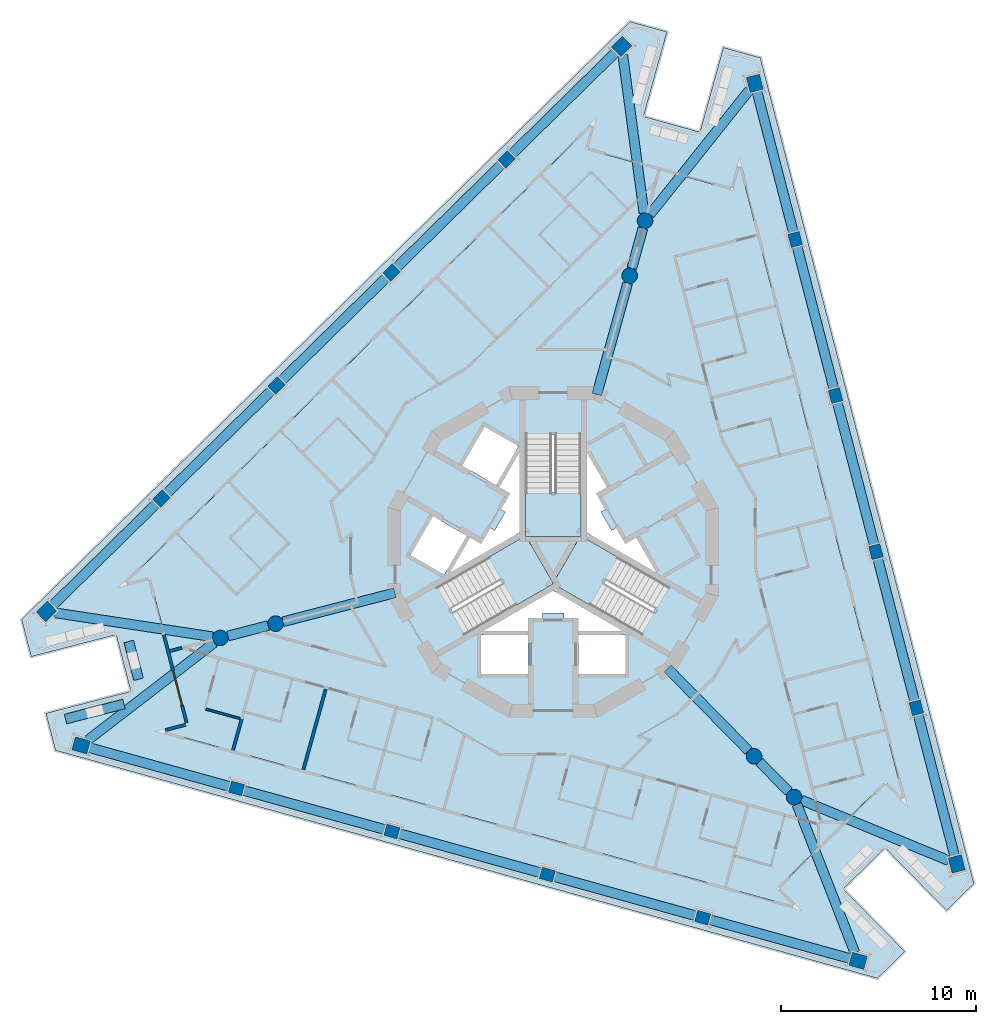
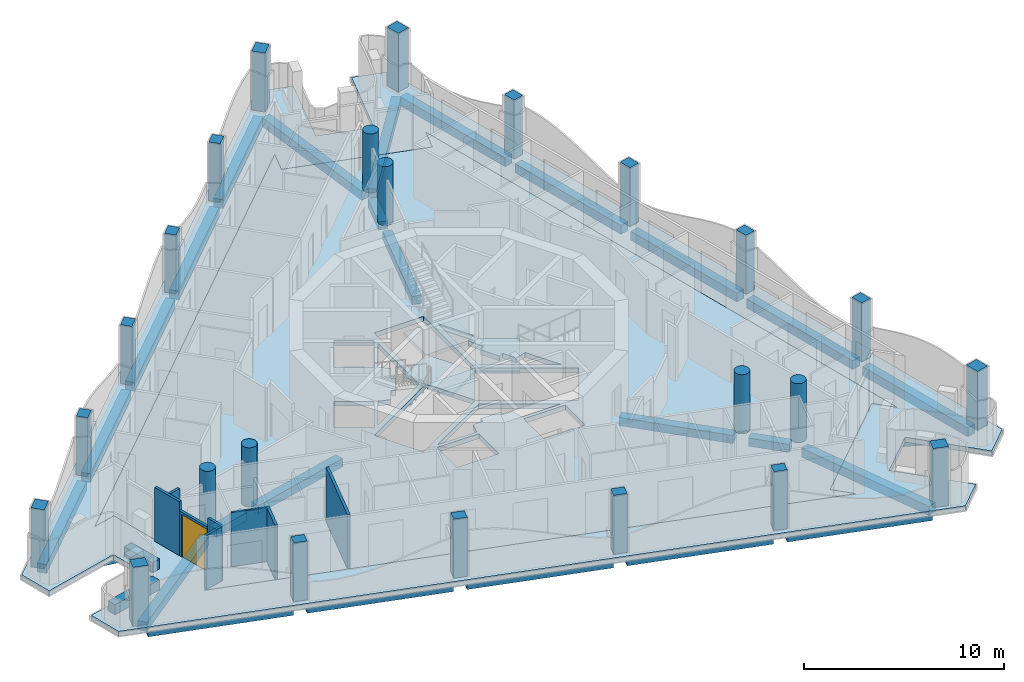
# One storey, part 1 of 15: 27 beams, 24 columns, 10 walls, 6 slabs, 1 door, 1 opening, 3 elements without a shape of their own.
"""IFC4 building model written with IfcOpenShell, lengths in metres."""

from ifc_helpers import new_model, si_unit, direction, frame, frame_2d, origin, origin_2d, place, context, subcontext, project, spatial, polyline, rectangle, circle, outline, extrude, material, layer, layer_set, material_profile, profile_set, type_object, element, fill, aggregate, save


model = new_model("IFC4")

# Units and contexts
model_context = context("Model", 3, precision=1e-05, world=origin(), true_north=direction((0.0, 1.0)))
body_context = subcontext(model_context, "Body", "Model", "MODEL_VIEW")
ifc_project = project(units=[si_unit("LENGTHUNIT", "METRE"), si_unit("AREAUNIT", "SQUARE_METRE"), si_unit("VOLUMEUNIT", "CUBIC_METRE"), si_unit("PLANEANGLEUNIT", "RADIAN"), si_unit("MASSUNIT", "GRAM", prefix="KILO")], contexts=[model_context])

# Site, building, storey
site_placement = place(None, origin())
site = spatial("IfcSite", under=ifc_project, at=site_placement, CompositionType="ELEMENT")
building_placement = place(site_placement, origin())
building = spatial("IfcBuilding", under=site, at=building_placement, Name="Trine Commons Tower", CompositionType="ELEMENT")
storey_placement = place(building_placement, frame((0.0, 0.0, 260.10009765625)))
storey = spatial("IfcBuildingStorey", under=building, at=storey_placement, Name="L68", CompositionType="ELEMENT", Elevation=260.10009765625)

# Columns
ifc_material_1 = material(Name="Concrete C50/60", Category="concrete")
ifc_material_profile_1 = material_profile(ifc_material_1, rectangle(XDim=0.699951171875, YDim=0.60009765625, at=origin_2d()), Name="RC 700x600")
ifc_profile_set_1 = profile_set([ifc_material_profile_1], Name="Concrete C50/60")
column_type_1 = type_object("IfcColumnType", Name="RC column 700x600, C50/60", PredefinedType="COLUMN", material=ifc_profile_set_1)
for number, where, z_axis, x_axis, name in (
    (1, (87.668701171875, 43.74072265625, 0.0), (0.0, 0.0, 1.0), (-0.963630453209, 0.267238376078, 0.0), "Column PC7-02 L68"),
    (2, (79.70068359375, 45.950439453125, 0.0), (0.0, 0.0, 1.0), (-0.963630453209, 0.267238376078, 0.0), "Column PC7-03 L68"),
    (3, (71.73291015625, 48.16015625, 0.0), (0.0, 0.0, 1.0), (-0.963630453209, 0.267238376078, 0.0), "Column PC7-04 L68"),
    (4, (63.764892578125, 50.369873046875, 0.0), (0.0, 0.0, 1.0), (-0.963630453209, 0.267238376078, 0.0), "Column PC7-05 L68"),
    (5, (59.91943359375, 65.23828125, 0.0), (0.0, 0.0, 1.0), (0.713250449154, 0.7009092643, 0.0), "Column PC7-08 L68"),
    (6, (65.817138671875, 71.033935546875, 0.0), (0.0, 0.0, 1.0), (0.713250449154, 0.7009092643, 0.0), "Column PC7-09 L68"),
    (7, (71.71484375, 76.82958984375, 0.0), (0.0, 0.0, 1.0), (0.713250449154, 0.7009092643, 0.0), "Column PC7-10 L68"),
    (8, (77.612548828125, 82.625244140625, 0.0), (0.0, 0.0, 1.0), (0.713250449154, 0.7009092643, 0.0), "Column PC7-11 L68"),
    (9, (92.41162109375, 78.52099609375, 0.0), (0.0, 0.0, 1.0), (-0.250380004054, 0.968147640378, 0.0), "Column PC7-14 L68"),
    (10, (94.48193359375, 70.515625, 0.0), (0.0, 0.0, 1.0), (-0.250380004054, 0.968147640378, 0.0), "Column PC7-15 L68"),
    (11, (96.55224609375, 62.51025390625, 0.0), (0.0, 0.0, 1.0), (-0.250380004054, 0.968147640378, 0.0), "Column PC7-16 L68"),
    (12, (98.622802734375, 54.5048828125, 0.0), (0.0, 0.0, 1.0), (-0.250380004054, 0.968147640378, 0.0), "Column PC7-17 L68"),
):
    element("IfcColumn", number, at=place(storey_placement, frame(where, z_axis=z_axis, x_axis=x_axis)), inside=storey, type_object=column_type_1, Name=name, PredefinedType="COLUMN", context=body_context, shape_type="SweptSolid", body=[
        extrude(rectangle(XDim=0.699951171875, YDim=0.60009765625, at=origin_2d()), origin(), (0.0, 0.0, 1.0), 3.599853515625),
    ])
ifc_material_profile_2 = material_profile(ifc_material_1, rectangle(XDim=0.800048828125, YDim=0.699951171875, at=origin_2d()), Name="RC 800x700")
ifc_profile_set_2 = profile_set([ifc_material_profile_2], Name="Concrete C50/60")
column_type_2 = type_object("IfcColumnType", Name="RC column 800x700, C50/60", PredefinedType="COLUMN", material=ifc_profile_set_2)
for number, where, z_axis, x_axis, name in (
    (13, (95.63671875, 41.531005859375, 0.0), (0.0, 0.0, 1.0), (-0.963630453209, 0.267238376078, 0.0), "Column PC7-01 L68"),
    (14, (55.796875, 52.57958984375, 0.0), (0.0, 0.0, 1.0), (-0.963630453209, 0.267238376078, 0.0), "Column PC7-06 L68"),
    (15, (54.02197265625, 59.442626953125, 0.0), (0.0, 0.0, 1.0), (0.713250449154, 0.7009092643, 0.0), "Column PC7-07 L68"),
    (16, (83.51025390625, 88.4208984375, 0.0), (0.0, 0.0, 1.0), (0.713250449154, 0.7009092643, 0.0), "Column PC7-12 L68"),
    (17, (90.34130859375, 86.5263671875, 0.0), (0.0, 0.0, 1.0), (-0.250380004054, 0.968147640378, 0.0), "Column PC7-13 L68"),
    (18, (100.693115234375, 46.499755859375, 0.0), (0.0, 0.0, 1.0), (-0.250380004054, 0.968147640378, 0.0), "Column PC7-18 L68"),
):
    element("IfcColumn", number, at=place(storey_placement, frame(where, z_axis=z_axis, x_axis=x_axis)), inside=storey, type_object=column_type_2, Name=name, PredefinedType="COLUMN", context=body_context, shape_type="SweptSolid", body=[
        extrude(rectangle(XDim=0.800048828125, YDim=0.699951171875, at=origin_2d()), origin(), (0.0, 0.0, 1.0), 3.599853515625),
    ])
ifc_material_profile_3 = material_profile(ifc_material_1, circle(Radius=0.39990234375, at=origin_2d()), Name="RC round 800")
ifc_profile_set_3 = profile_set([ifc_material_profile_3], Name="Concrete C50/60")
column_type_3 = type_object("IfcColumnType", Name="RC round column 800 mm, C50/60", PredefinedType="COLUMN", material=ifc_profile_set_3)
for number, where, z_axis, x_axis, name in (
    (19, (90.301513671875, 52.01708984375, 0.0), (0.0, 0.0, 1.0), (1.0, 0.0, 0.0), "Column WC7-1 L68"),
    (20, (92.352783203125, 49.9296875, 0.0), (0.0, 0.0, 1.0), (1.0, 0.0, 0.0), "Column WC7-2 L68"),
    (21, (83.927734375, 76.66259765625, 0.0), (0.0, 0.0, 1.0), (1.0, 0.0, 0.0), "Column WC7-3 L68"),
    (22, (84.709716796875, 79.48291015625, 0.0), (0.0, 0.0, 1.0), (1.0, 0.0, 0.0), "Column WC7-4 L68"),
    (23, (65.77099609375, 58.820068359375, 0.0), (0.0, 0.0, 1.0), (1.0, 0.0, 0.0), "Column WC7-5 L68"),
    (24, (62.9375, 58.08740234375, 0.0), (0.0, 0.0, 1.0), (1.0, 0.0, 0.0), "Column WC7-6 L68"),
):
    element("IfcColumn", number, at=place(storey_placement, frame(where, z_axis=z_axis, x_axis=x_axis)), inside=storey, type_object=column_type_3, Name=name, PredefinedType="COLUMN", context=body_context, shape_type="SweptSolid", body=[
        extrude(circle(Radius=0.39990234375, at=origin_2d()), origin(), (0.0, 0.0, 1.0), 3.599853515625),
    ])

# Beams
ifc_material_2 = material(Name="Concrete C40/50", Category="concrete")
ifc_material_profile_4 = material_profile(ifc_material_2, rectangle(XDim=0.5, YDim=0.5, at=origin_2d()), Name="RC 500x500")
ifc_profile_set_4 = profile_set([ifc_material_profile_4], Name="Concrete C40/50")
beam_type_1 = type_object("IfcBeamType", Name="RC beam 500x500, C40/50", PredefinedType="BEAM", material=ifc_profile_set_4)
beam_1_placement = place(storey_placement, frame((85.87353515625, 56.523193359375, -0.550048828125), z_axis=(0.700890997639, -0.713268399292, 0.0), x_axis=(0.713268399292, 0.700890997639, 0.0)))
element("IfcBeam", 25, at=beam_1_placement, inside=storey, type_object=beam_type_1, Name="Beam RB7-01 L68", PredefinedType="BEAM", context=body_context, shape_type="SweptSolid", body=[
    extrude(rectangle(XDim=0.5, YDim=0.5, at=origin_2d()), origin(), (0.0, 0.0, 1.0), 5.91748046875),
])
beam_2_placement = place(storey_placement, frame((90.581787109375, 51.73193359375, -0.550048828125), z_axis=(0.70093857454, -0.713221644877, 0.0), x_axis=(0.713221644877, 0.70093857454, 0.0)))
element("IfcBeam", 26, at=beam_2_placement, inside=storey, type_object=beam_type_1, Name="Beam RB7-02 L68", PredefinedType="BEAM", context=body_context, shape_type="SweptSolid", body=[
    extrude(rectangle(XDim=0.5, YDim=0.5, at=origin_2d()), origin(), (0.0, 0.0, 1.0), 2.126708984375),
])
beam_3_placement = place(storey_placement, frame((82.239501953125, 70.574951171875, -0.550048828125), z_axis=(0.267209770713, 0.963638385721, 0.0), x_axis=(-0.963638385721, 0.267209770713, 0.0)))
element("IfcBeam", 27, at=beam_3_placement, inside=storey, type_object=beam_type_1, Name="Beam RB7-03 L68", PredefinedType="BEAM", context=body_context, shape_type="SweptSolid", body=[
    extrude(rectangle(XDim=0.5, YDim=0.5, at=origin_2d()), origin(), (0.0, 0.0, 1.0), 5.917724609375),
])
beam_4_placement = place(storey_placement, frame((84.034423828125, 77.0478515625, -0.550048828125), z_axis=(0.267270963033, 0.963621415453, 0.0), x_axis=(-0.963621415453, 0.267270963033, 0.0)))
element("IfcBeam", 28, at=beam_4_placement, inside=storey, type_object=beam_type_1, Name="Beam RB7-04 L68", PredefinedType="BEAM", context=body_context, shape_type="SweptSolid", body=[
    extrude(rectangle(XDim=0.5, YDim=0.5, at=origin_2d()), origin(), (0.0, 0.0, 1.0), 2.12744140625),
])
beam_5_placement = place(storey_placement, frame((71.88720703125, 60.40185546875, -0.550048828125), z_axis=(-0.968150015074, -0.250370821607, 0.0), x_axis=(0.250370821607, -0.968150015074, 0.0)))
element("IfcBeam", 29, at=beam_5_placement, inside=storey, type_object=beam_type_1, Name="Beam RB7-05 L68", PredefinedType="BEAM", context=body_context, shape_type="SweptSolid", body=[
    extrude(rectangle(XDim=0.5, YDim=0.5, at=origin_2d()), origin(), (0.0, 0.0, 1.0), 5.91796875),
])
beam_6_placement = place(storey_placement, frame((65.384033203125, 58.72021484375, -0.550048828125), z_axis=(-0.968118610388, -0.250492227863, 0.0), x_axis=(0.250492227863, -0.968118610388, 0.0)))
element("IfcBeam", 30, at=beam_6_placement, inside=storey, type_object=beam_type_1, Name="Beam RB7-06 L68", PredefinedType="BEAM", context=body_context, shape_type="SweptSolid", body=[
    extrude(rectangle(XDim=0.5, YDim=0.5, at=origin_2d()), origin(), (0.0, 0.0, 1.0), 2.127685546875),
])
ifc_material_profile_5 = material_profile(ifc_material_2, rectangle(XDim=0.5, YDim=0.550048828125, at=origin_2d()), Name="RC 500x550")
ifc_profile_set_5 = profile_set([ifc_material_profile_5], Name="Concrete C40/50")
beam_type_2 = type_object("IfcBeamType", Name="RC beam 500x550, C40/50", PredefinedType="BEAM", material=ifc_profile_set_5)
beam_7_placement = place(storey_placement, frame((95.251220703125, 41.6376953125, -0.5751953125), z_axis=(-0.963621113681, 0.267272051042, 0.0), x_axis=(-0.267272051042, -0.963621113681, 0.0)))
element("IfcBeam", 31, at=beam_7_placement, inside=storey, type_object=beam_type_2, Name="Beam EB7-01 L68", PredefinedType="BEAM", context=body_context, shape_type="SweptSolid", body=[
    extrude(rectangle(XDim=0.5, YDim=0.550048828125, at=origin_2d()), origin(), (0.0, 0.0, 1.0), 7.5185546875),
])
for number, where, z_axis, x_axis, name in (
    (32, (87.33154296875, 43.834228515625, -0.5751953125), (-0.963628737279, 0.267244563445, 0.0), (-0.267244563445, -0.963628737279, 0.0), "Beam EB7-02 L68"),
    (33, (79.363525390625, 46.0439453125, -0.5751953125), (-0.963628737279, 0.267244563445, 0.0), (-0.267244563445, -0.963628737279, 0.0), "Beam EB7-03 L68"),
    (34, (71.3955078125, 48.253662109375, -0.5751953125), (-0.963628737279, 0.267244563445, 0.0), (-0.267244563445, -0.963628737279, 0.0), "Beam EB7-04 L68"),
):
    element("IfcBeam", number, at=place(storey_placement, frame(where, z_axis=z_axis, x_axis=x_axis)), inside=storey, type_object=beam_type_2, Name=name, PredefinedType="BEAM", context=body_context, shape_type="SweptSolid", body=[
        extrude(rectangle(XDim=0.5, YDim=0.550048828125, at=origin_2d()), origin(), (0.0, 0.0, 1.0), 7.56884765625),
    ])
for number, where, z_axis, x_axis, name in (
    (35, (63.427490234375, 50.46337890625, -0.5751953125), (-0.963629476257, 0.267241898827, 0.0), (-0.267241898827, -0.963629476257, 0.0), "Beam EB7-05 L68"),
    (36, (54.30712890625, 59.72314453125, -0.5751953125), (0.713265514722, 0.700893933137, 0.0), (-0.700893933137, 0.713265514722, 0.0), "Beam EB7-06 L68"),
):
    element("IfcBeam", number, at=place(storey_placement, frame(where, z_axis=z_axis, x_axis=x_axis)), inside=storey, type_object=beam_type_2, Name=name, PredefinedType="BEAM", context=body_context, shape_type="SweptSolid", body=[
        extrude(rectangle(XDim=0.5, YDim=0.550048828125, at=origin_2d()), origin(), (0.0, 0.0, 1.0), 7.5185546875),
    ])
for number, where, z_axis, x_axis, name in (
    (37, (60.169189453125, 65.483642578125, -0.5751953125), (0.713256929801, 0.700902669485, 0.0), (-0.700902669485, 0.713256929801, 0.0), "Beam EB7-07 L68"),
    (38, (66.06689453125, 71.279296875, -0.5751953125), (0.713256929801, 0.700902669485, 0.0), (-0.700902669485, 0.713256929801, 0.0), "Beam EB7-08 L68"),
    (39, (71.964599609375, 77.074951171875, -0.5751953125), (0.713241082752, 0.700918795492, 0.0), (-0.700918795492, 0.713241082752, 0.0), "Beam EB7-09 L68"),
):
    element("IfcBeam", number, at=place(storey_placement, frame(where, z_axis=z_axis, x_axis=x_axis)), inside=storey, type_object=beam_type_2, Name=name, PredefinedType="BEAM", context=body_context, shape_type="SweptSolid", body=[
        extrude(rectangle(XDim=0.5, YDim=0.550048828125, at=origin_2d()), origin(), (0.0, 0.0, 1.0), 7.568603515625),
    ])
beam_8_placement = place(storey_placement, frame((77.862060546875, 82.87060546875, -0.5751953125), z_axis=(0.713265514722, 0.700893933137, 0.0), x_axis=(-0.700893933137, 0.713265514722, 0.0)))
element("IfcBeam", 40, at=beam_8_placement, inside=storey, type_object=beam_type_2, Name="Beam EB7-10 L68", PredefinedType="BEAM", context=body_context, shape_type="SweptSolid", body=[
    extrude(rectangle(XDim=0.5, YDim=0.550048828125, at=origin_2d()), origin(), (0.0, 0.0, 1.0), 7.5185546875),
])
beam_9_placement = place(storey_placement, frame((90.441650390625, 86.13916015625, -0.5751953125), z_axis=(0.250381772483, -0.96814718303, 0.0), x_axis=(0.96814718303, 0.250381772483, 0.0)))
element("IfcBeam", 41, at=beam_9_placement, inside=storey, type_object=beam_type_2, Name="Beam EB7-11 L68", PredefinedType="BEAM", context=body_context, shape_type="SweptSolid", body=[
    extrude(rectangle(XDim=0.5, YDim=0.550048828125, at=origin_2d()), origin(), (0.0, 0.0, 1.0), 7.518798828125),
])
for number, where, z_axis, x_axis, name in (
    (42, (92.499267578125, 78.18212890625, -0.5751953125), (0.250375524013, -0.968148798985, 0.0), (0.968148798985, 0.250375524013, 0.0), "Beam EB7-12 L68"),
    (43, (94.569580078125, 70.1767578125, -0.5751953125), (0.250375524013, -0.968148798985, 0.0), (0.968148798985, 0.250375524013, 0.0), "Beam EB7-13 L68"),
    (44, (96.639892578125, 62.17138671875, -0.5751953125), (0.250413578195, -0.968138956894, 0.0), (0.968138956894, 0.250413578195, 0.0), "Beam EB7-14 L68"),
):
    element("IfcBeam", number, at=place(storey_placement, frame(where, z_axis=z_axis, x_axis=x_axis)), inside=storey, type_object=beam_type_2, Name=name, PredefinedType="BEAM", context=body_context, shape_type="SweptSolid", body=[
        extrude(rectangle(XDim=0.5, YDim=0.550048828125, at=origin_2d()), origin(), (0.0, 0.0, 1.0), 7.568603515625),
    ])
beam_10_placement = place(storey_placement, frame((98.710205078125, 54.166015625, -0.5751953125), z_axis=(0.250389643834, -0.96814514731, 0.0), x_axis=(0.96814514731, 0.250389643834, 0.0)))
element("IfcBeam", 45, at=beam_10_placement, inside=storey, type_object=beam_type_2, Name="Beam EB7-15 L68", PredefinedType="BEAM", context=body_context, shape_type="SweptSolid", body=[
    extrude(rectangle(XDim=0.5, YDim=0.550048828125, at=origin_2d()), origin(), (0.0, 0.0, 1.0), 7.5185546875),
])
beam_11_placement = place(storey_placement, frame((56.143310546875, 52.8466796875, -0.5751953125), z_axis=(0.79181565557, 0.610760155539, 0.0), x_axis=(-0.610760155539, 0.79181565557, 0.0)))
element("IfcBeam", 46, at=beam_11_placement, inside=storey, type_object=beam_type_2, Name="Beam CB7-01 L68", PredefinedType="BEAM", context=body_context, shape_type="SweptSolid", body=[
    extrude(rectangle(XDim=0.5, YDim=0.550048828125, at=origin_2d()), origin(), (0.0, 0.0, 1.0), 8.180908203125),
])
for number, where, z_axis, x_axis, name in (
    (47, (54.454345703125, 59.376953125, -0.5751953125), (0.98863822303, -0.150314550074, 0.0), (0.150314550074, 0.98863822303, 0.0), "Beam CB7-02 L68"),
    (48, (83.568359375, 87.9873046875, -0.5751953125), (0.1330354713, -0.99111127699, 0.0), (0.99111127699, 0.1330354713, 0.0), "Beam CB7-03 L68"),
):
    element("IfcBeam", number, at=place(storey_placement, frame(where, z_axis=z_axis, x_axis=x_axis)), inside=storey, type_object=beam_type_2, Name=name, PredefinedType="BEAM", context=body_context, shape_type="SweptSolid", body=[
        extrude(rectangle(XDim=0.5, YDim=0.550048828125, at=origin_2d()), origin(), (0.0, 0.0, 1.0), 8.18115234375),
    ])
beam_12_placement = place(storey_placement, frame((90.068115234375, 86.184814453125, -0.5751953125), z_axis=(-0.624465738686, -0.781052201333, 0.0), x_axis=(0.781052201333, -0.624465738686, 0.0)))
element("IfcBeam", 49, at=beam_12_placement, inside=storey, type_object=beam_type_2, Name="Beam CB7-04 L68", PredefinedType="BEAM", context=body_context, shape_type="SweptSolid", body=[
    extrude(rectangle(XDim=0.5, YDim=0.550048828125, at=origin_2d()), origin(), (0.0, 0.0, 1.0), 8.180908203125),
])
beam_13_placement = place(storey_placement, frame((100.28857421875, 46.666015625, -0.5751953125), z_axis=(-0.924841797532, 0.380352007407, 0.0), x_axis=(-0.380352007407, -0.924841797532, 0.0)))
element("IfcBeam", 50, at=beam_13_placement, inside=storey, type_object=beam_type_2, Name="Beam CB7-05 L68", PredefinedType="BEAM", context=body_context, shape_type="SweptSolid", body=[
    extrude(rectangle(XDim=0.5, YDim=0.550048828125, at=origin_2d()), origin(), (0.0, 0.0, 1.0), 8.1806640625),
])
beam_14_placement = place(storey_placement, frame((95.4775390625, 41.938232421875, -0.5751953125), z_axis=(-0.36416079705, 0.931336090727, 0.0), x_axis=(-0.931336090727, -0.36416079705, 0.0)))
element("IfcBeam", 51, at=beam_14_placement, inside=storey, type_object=beam_type_2, Name="Beam CB7-06 L68", PredefinedType="BEAM", context=body_context, shape_type="SweptSolid", body=[
    extrude(rectangle(XDim=0.5, YDim=0.550048828125, at=origin_2d()), origin(), (0.0, 0.0, 1.0), 8.18115234375),
])

# Slabs
ifc_layer_1 = layer(ifc_material_2, 0.300048828125)
ifc_layer_set_1 = layer_set([ifc_layer_1], Name="Concrete C40/50")
slab_type_1 = type_object("IfcSlabType", Name="Loggia slab 300 mm, C40/50", PredefinedType="FLOOR", material=ifc_layer_set_1)
slab_1_placement = place(storey_placement, frame((0.0, 0.0, -0.300048828125)))
element("IfcSlab", 52, at=slab_1_placement, inside=storey, type_object=slab_type_1, Name="Loggia slab L68", PredefinedType="FLOOR", context=body_context, shape_type="SweptSolid", body=[
    extrude(outline(polyline([(101.57421875, 45.488037109375), (90.621826171875, 87.83837890625), (88.72900390625, 88.36328125), (87.526611328125, 84.02685546875), (84.6357421875, 84.82861328125), (85.838134765625, 89.1650390625), (83.945556640625, 89.68994140625), (52.745361328125, 59.029541015625), (53.2373046875, 57.1279296875), (57.593994140625, 58.254638671875), (58.344970703125, 55.350341796875), (53.98828125, 54.2236328125), (54.47998046875, 52.322021484375), (96.6328125, 40.632080078125), (98.03369140625, 42.0087890625), (94.879638671875, 45.218505859375), (97.019287109375, 47.321044921875), (100.17333984375, 44.111572265625), (101.57421875, 45.488037109375)]), holes=[polyline([(59.31640625, 61.17919921875), (61.26953125, 53.627685546875), (59.96728515625, 53.291015625), (92.42822265625, 44.28857421875), (91.485595703125, 45.248046875), (97.048828125, 50.715087890625), (97.99169921875, 49.755615234375), (89.557373046875, 82.368896484375), (89.197998046875, 81.07275390625), (81.681640625, 83.1572265625), (82.041015625, 84.453369140625), (58.014404296875, 60.84228515625), (59.31640625, 61.17919921875)])]), origin(), (0.0, 0.0, 1.0), 0.300048828125),
])
ifc_layer_2 = layer(ifc_material_2, 0.300048828125)
ifc_layer_set_2 = layer_set([ifc_layer_2], Name="Concrete C40/50")
slab_type_2 = type_object("IfcSlabType", Name="PT flat slab 300 mm, C40/50", PredefinedType="FLOOR", material=ifc_layer_set_2)
slab_2_placement = place(storey_placement, frame((0.0, 0.0, -0.300048828125)))
element("IfcSlab", 53, at=slab_2_placement, inside=storey, type_object=slab_type_2, Name="Floor slab L68", PredefinedType="FLOOR", context=body_context, shape_type="SweptSolid", body=[
    extrude(outline(polyline([(58.014404296875, 60.84228515625), (59.31640625, 61.17919921875), (61.26953125, 53.627685546875), (59.96728515625, 53.291015625), (92.42822265625, 44.28857421875), (91.485595703125, 45.248046875), (97.048828125, 50.715087890625), (97.99169921875, 49.755615234375), (89.557373046875, 82.368896484375), (89.197998046875, 81.07275390625), (81.681640625, 83.1572265625), (82.041015625, 84.453369140625), (58.014404296875, 60.84228515625)]), holes=[polyline([(78.699951171875, 56.25), (78.699951171875, 58.25), (76.300048828125, 58.25), (76.300048828125, 56.25), (78.699951171875, 56.25)]), polyline([(83.699951171875, 56.25), (83.699951171875, 58.25), (81.300048828125, 58.25), (81.300048828125, 56.25), (83.699951171875, 56.25)]), polyline([(81.300048828125, 58.449951171875), (83.56494140625, 58.449951171875), (80.0, 60.508056640625), (76.43505859375, 58.449951171875), (78.699951171875, 58.449951171875), (78.85009765625, 59.10009765625), (79.449951171875, 59.10009765625), (79.449951171875, 59.360107421875), (80.550048828125, 59.360107421875), (80.550048828125, 59.10009765625), (81.14990234375, 59.10009765625), (81.300048828125, 58.449951171875)]), polyline([(81.425048828125, 63.32275390625), (81.425048828125, 68.490478515625), (78.574951171875, 68.490478515625), (78.574951171875, 63.32275390625), (74.099609375, 60.73876953125), (75.5244140625, 58.2705078125), (80.0, 60.8544921875), (84.4755859375, 58.2705078125), (85.900390625, 60.73876953125), (81.425048828125, 63.32275390625)]), polyline([(72.687255859375, 62.333984375), (74.41943359375, 61.333984375), (75.5693359375, 63.325927734375), (73.83740234375, 64.325927734375), (72.687255859375, 62.333984375)]), polyline([(76.381103515625, 63.031005859375), (75.742919921875, 63.22607421875), (74.7099609375, 61.43798828125), (78.27490234375, 63.49609375), (78.27490234375, 67.612060546875), (77.242919921875, 65.823974609375), (77.73095703125, 65.368896484375), (77.3310546875, 64.676025390625), (77.555908203125, 64.5458984375), (77.006103515625, 63.593994140625), (76.781005859375, 63.722900390625), (76.381103515625, 63.031005859375)]), polyline([(82.993896484375, 63.593994140625), (82.444091796875, 64.5458984375), (82.72705078125, 64.7099609375), (82.281005859375, 65.549072265625), (82.757080078125, 65.823974609375), (81.72509765625, 67.612060546875), (81.72509765625, 63.49609375), (85.2900390625, 61.43798828125), (84.257080078125, 63.22607421875), (83.618896484375, 63.031005859375), (83.243896484375, 63.738037109375), (82.993896484375, 63.593994140625)]), polyline([(76.4873046875, 68.916015625), (75.33740234375, 66.924072265625), (77.0693359375, 65.924072265625), (78.219482421875, 67.916015625), (76.4873046875, 68.916015625)])]), origin(), (0.0, 0.0, 1.0), 0.300048828125),
])
slab_3_placement = place(storey_placement, frame((0.0, 0.0, -0.300048828125)))
element("IfcSlab", 54, at=slab_3_placement, inside=storey, type_object=slab_type_2, Name="Floor slab L68 2", PredefinedType="FLOOR", context=body_context, shape_type="SweptSolid", body=[
    extrude(outline(polyline([(81.38671875, 63.300537109375), (78.61328125, 63.300537109375), (80.0, 60.89892578125), (81.38671875, 63.300537109375)])), origin(), (0.0, 0.0, 1.0), 0.300048828125),
])

# Stair, slab
stair_type = type_object("IfcStairType", Name="Exit stair, dog-leg, 24 risers of 150 mm", PredefinedType="HALF_TURN_STAIR", material=ifc_material_1)
stair_1_placement = place(storey_placement, origin())
stair_1 = element("IfcStair", 55, at=stair_1_placement, inside=storey, type_object=stair_type, Name="L68 Exit stair ST1C", PredefinedType="HALF_TURN_STAIR")
ifc_layer_3 = layer(ifc_material_1, 0.199951171875)
ifc_layer_set_3 = layer_set([ifc_layer_3], Name="Concrete C50/60")
slab_type_3 = type_object("IfcSlabType", Name="Stair landing slab 200 mm, C50/60", PredefinedType="LANDING", material=ifc_layer_set_3)
slab_4_placement = place(storey_placement, frame((0.0, 0.0, 1.599853515625)))
slab_4 = element("IfcSlab", 56, at=slab_4_placement, type_object=slab_type_3, Name="ST1C landing 1", PredefinedType="LANDING", context=body_context, shape_type="SweptSolid", body=[
    extrude(outline(polyline([(78.574951171875, 65.570556640625), (78.574951171875, 63.300537109375), (81.425048828125, 63.300537109375), (81.425048828125, 65.570556640625), (78.574951171875, 65.570556640625)])), origin(), (0.0, 0.0, 1.0), 0.199951171875),
])
aggregate(stair_1, [slab_4])

stair_2_placement = place(storey_placement, origin())
stair_2 = element("IfcStair", 57, at=stair_2_placement, inside=storey, type_object=stair_type, Name="L68 Exit stair ST2C", PredefinedType="HALF_TURN_STAIR")
slab_5_placement = place(storey_placement, frame((0.0, 0.0, 1.599853515625)))
slab_5 = element("IfcSlab", 58, at=slab_5_placement, type_object=slab_type_3, Name="ST2C landing 1", PredefinedType="LANDING", context=body_context, shape_type="SweptSolid", body=[
    extrude(outline(polyline([(78.05322265625, 59.730712890625), (80.019287109375, 60.86572265625), (78.59423828125, 63.333740234375), (76.628173828125, 62.19873046875), (78.05322265625, 59.730712890625)])), origin(), (0.0, 0.0, 1.0), 0.199951171875),
])
aggregate(stair_2, [slab_5])

stair_3_placement = place(storey_placement, origin())
stair_3 = element("IfcStair", 59, at=stair_3_placement, inside=storey, type_object=stair_type, Name="L68 Exit stair ST3C", PredefinedType="HALF_TURN_STAIR")
slab_6_placement = place(storey_placement, frame((0.0, 0.0, 1.599853515625)))
slab_6 = element("IfcSlab", 60, at=slab_6_placement, type_object=slab_type_3, Name="ST3C landing 1", PredefinedType="LANDING", context=body_context, shape_type="SweptSolid", body=[
    extrude(outline(polyline([(83.371826171875, 62.19873046875), (81.40576171875, 63.333740234375), (79.980712890625, 60.86572265625), (81.94677734375, 59.730712890625), (83.371826171875, 62.19873046875)])), origin(), (0.0, 0.0, 1.0), 0.199951171875),
])
aggregate(stair_3, [slab_6])

# Walls
ifc_material_3 = material(Name="Aluminium-framed insulated wall panel", Category="aluminium")
ifc_layer_4 = layer(ifc_material_3, 0.14990234375)
ifc_layer_set_4 = layer_set([ifc_layer_4], Name="Aluminium-framed insulated wall panel")
wall_type_1 = type_object("IfcWallType", Name="Glazed frame wall 150, EI 60", PredefinedType="SOLIDWALL", material=ifc_layer_set_4)
wall_1_placement = place(storey_placement, frame((59.95849609375, 53.32470703125, 0.0), z_axis=(0.0, 0.0, 1.0), x_axis=(0.968124150503, 0.250470815091, 0.0)))
element("IfcWall", 61, at=wall_1_placement, inside=storey, type_object=wall_type_1, Name="Glazed frame wall R10", PredefinedType="SOLIDWALL", context=body_context, shape_type="SweptSolid", body=[
    extrude(outline(polyline([(0.1494140625, 0.074951171875), (0.1494140625, -0.074951171875), (1.235107421875, -0.074951171875), (1.235107421875, 0.074951171875), (0.1494140625, 0.074951171875)])), origin(), (0.0, 0.0, 1.0), 3.2998046875),
])
wall_2_placement = place(storey_placement, frame((61.235595703125, 53.618896484375, 0.0), z_axis=(0.0, 0.0, 1.0), x_axis=(-0.250513031832, 0.968113227305, 0.0)))
element("IfcWall", 62, at=wall_2_placement, inside=storey, type_object=wall_type_1, Name="Glazed frame wall P3.1", PredefinedType="SOLIDWALL", context=body_context, shape_type="SweptSolid", body=[
    extrude(outline(polyline([(0.110107421875, -0.074951171875), (1.0, -0.074951171875), (1.0, 0.074951171875), (0.110107421875, 0.074951171875), (0.110107421875, -0.074951171875)])), origin(), (0.0, 0.0, 1.0), 3.2998046875),
])

# Wall, opening, door
wall_3_placement = place(storey_placement, frame((60.985107421875, 54.5869140625, 0.0), z_axis=(0.0, 0.0, 1.0), x_axis=(-0.250371111039, 0.968149940225, 0.0)))
wall_3 = element("IfcWall", 63, at=wall_3_placement, inside=storey, type_object=wall_type_1, Name="Glazed frame wall P3.2", PredefinedType="SOLIDWALL", context=body_context, shape_type="SweptSolid", body=[
    extrude(outline(polyline([(0.0, -0.074951171875), (2.021484375, -0.074951171875), (2.021484375, 0.074951171875), (0.0, 0.074951171875), (0.0, -0.074951171875)])), origin(), (0.0, 0.0, 1.0), 2.75),
])
opening_placement = place(wall_3_placement, frame((0.050048828125, 0.0, 0.0)))
opening = element("IfcOpeningElement", 64, at=opening_placement, cuts=wall_3, Name="Opening BD-7P3-01", PredefinedType="OPENING", context=body_context, shape_type="SweptSolid", body=[
    extrude(rectangle(XDim=1.800048828125, YDim=2.60009765625, at=frame_2d((0.89990234375, 1.300048828125))), frame((0.0, 0.0849609375, 0.0), z_axis=(0.0, -1.0, 0.0), x_axis=(1.0, 0.0, 0.0)), (0.0, 0.0, 1.0), 0.169921875),
])
ifc_material_4 = material(Name="Anodised aluminium frame with double glazing", Category="aluminium")
door_type = type_object("IfcDoorType", Name="Sliding loggia door 1800x2600", OperationType="SLIDING_TO_LEFT", PredefinedType="DOOR", material=ifc_material_4)
door_placement = place(opening_placement, origin())
door = element("IfcDoor", 65, at=door_placement, inside=storey, type_object=door_type, Name="Loggia door P3 1", OperationType="SLIDING_TO_LEFT", OverallHeight=2.60009765625, OverallWidth=1.800048828125, PredefinedType="DOOR", context=body_context, shape_type="SweptSolid", body=[
    extrude(rectangle(XDim=1.800048828125, YDim=2.60009765625, at=frame_2d((0.89990234375, 1.300048828125))), frame((0.0, 0.02490234375, 0.0), z_axis=(0.0, -1.0, 0.0), x_axis=(1.0, 0.0, 0.0)), (0.0, 0.0, 1.0), 0.050048828125),
])
fill(opening, door)

# Walls
wall_4_placement = place(storey_placement, frame((60.47900390625, 56.5439453125, 0.0), z_axis=(0.0, 0.0, 1.0), x_axis=(-0.250373840462, 0.968149234371, 0.0)))
element("IfcWall", 66, at=wall_4_placement, inside=storey, type_object=wall_type_1, Name="Glazed frame wall P3.3", PredefinedType="SOLIDWALL", context=body_context, shape_type="SweptSolid", body=[
    extrude(outline(polyline([(0.0, -0.074951171875), (1.757080078125, -0.074951171875), (1.757080078125, 0.074951171875), (0.0, 0.074951171875), (0.0, -0.074951171875)])), origin(), (0.0, 0.0, 1.0), 3.2998046875),
])
ifc_material_5 = material(Name="Planter trough, precast concrete C40/50", Category="concrete")
ifc_layer_5 = layer(ifc_material_5, 0.5)
ifc_layer_set_5 = layer_set([ifc_layer_5], Name="Planter trough, precast concrete C40/50")
wall_type_2 = type_object("IfcWallType", Name="Planter trough 500x600", PredefinedType="PARAPET", material=ifc_layer_set_5)
wall_5_placement = place(storey_placement, frame((54.994873046875, 53.92626953125, 0.0), z_axis=(0.0, 0.0, 1.0), x_axis=(0.968151190511, 0.250366276306, 0.0)))
element("IfcWall", 67, at=wall_5_placement, inside=storey, type_object=wall_type_2, Name="Planter 1", PredefinedType="PARAPET", context=body_context, shape_type="SweptSolid", body=[
    extrude(rectangle(XDim=3.099853515625, YDim=0.5, at=frame_2d((1.5498046875, 0.0))), origin(), (0.0, 0.0, 1.0), 0.599853515625),
])
wall_6_placement = place(storey_placement, frame((58.74267578125, 55.969482421875, 0.0), z_axis=(0.0, 0.0, 1.0), x_axis=(-0.250483427189, 0.968120887443, 0.0)))
element("IfcWall", 68, at=wall_6_placement, inside=storey, type_object=wall_type_2, Name="Planter 2", PredefinedType="PARAPET", context=body_context, shape_type="SweptSolid", body=[
    extrude(rectangle(XDim=2.0, YDim=0.5, at=frame_2d((1.0, 0.0))), origin(), (0.0, 0.0, 1.0), 0.599853515625),
])
ifc_material_6 = material(Name="Gypsum plasterboard on steel stud", Category="steel")
ifc_layer_6 = layer(ifc_material_6, 0.14990234375)
ifc_layer_set_6 = layer_set([ifc_layer_6], Name="Gypsum plasterboard on steel stud")
wall_type_3 = type_object("IfcWallType", Name="Unit and corridor wall 150 mm, EI 60", PredefinedType="PARTITIONING", material=ifc_layer_set_6)
wall_7_placement = place(storey_placement, frame((60.331787109375, 57.4130859375, 0.0), z_axis=(0.0, 0.0, 1.0), x_axis=(0.968209183311, 0.250141914426, 0.0)))
element("IfcWall", 69, at=wall_7_placement, inside=storey, type_object=wall_type_3, Name="Partition 001", PredefinedType="PARTITIONING", context=body_context, shape_type="SweptSolid", body=[
    extrude(rectangle(XDim=0.67138671875, YDim=0.14990234375, at=frame_2d((0.335693359375, 0.0))), origin(), (0.0, 0.0, 1.0), 3.2998046875),
])
wall_8_placement = place(storey_placement, frame((63.584716796875, 52.32958984375, 0.0), z_axis=(0.0, 0.0, 1.0), x_axis=(0.267092797629, 0.963670813844, 0.0)))
element("IfcWall", 70, at=wall_8_placement, inside=storey, type_object=wall_type_3, Name="Partition 010", PredefinedType="PARTITIONING", context=body_context, shape_type="SweptSolid", body=[
    extrude(rectangle(XDim=1.7138671875, YDim=0.14990234375, at=frame_2d((0.85693359375, 0.0))), origin(), (0.0, 0.0, 1.0), 3.2998046875),
])
wall_9_placement = place(storey_placement, frame((67.191650390625, 51.32861328125, 0.0), z_axis=(0.0, 0.0, 1.0), x_axis=(0.267270648008, 0.963621502828, 0.0)))
element("IfcWall", 71, at=wall_9_placement, inside=storey, type_object=wall_type_3, Name="Partition 020", PredefinedType="PARTITIONING", context=body_context, shape_type="SweptSolid", body=[
    extrude(rectangle(XDim=4.284912109375, YDim=0.14990234375, at=frame_2d((2.142578125, 0.0))), origin(), (0.0, 0.0, 1.0), 3.2998046875),
])
ifc_layer_7 = layer(ifc_material_6, 0.10009765625)
ifc_layer_set_7 = layer_set([ifc_layer_7], Name="Gypsum plasterboard on steel stud")
wall_type_4 = type_object("IfcWallType", Name="Unit partition 100 mm, no rating", PredefinedType="PARTITIONING", material=ifc_layer_set_7)
wall_10_placement = place(storey_placement, frame((62.197265625, 54.4365234375, 0.0), z_axis=(0.0, 0.0, 1.0), x_axis=(0.963650043194, -0.267167726816, 0.0)))
element("IfcWall", 72, at=wall_10_placement, inside=storey, type_object=wall_type_4, Name="Partition 006", PredefinedType="PARTITIONING", context=body_context, shape_type="SweptSolid", body=[
    extrude(rectangle(XDim=1.824951171875, YDim=0.10009765625, at=frame_2d((0.91259765625, 0.0))), origin(), (0.0, 0.0, 1.0), 3.2998046875),
])

save(model, "model.ifc")
